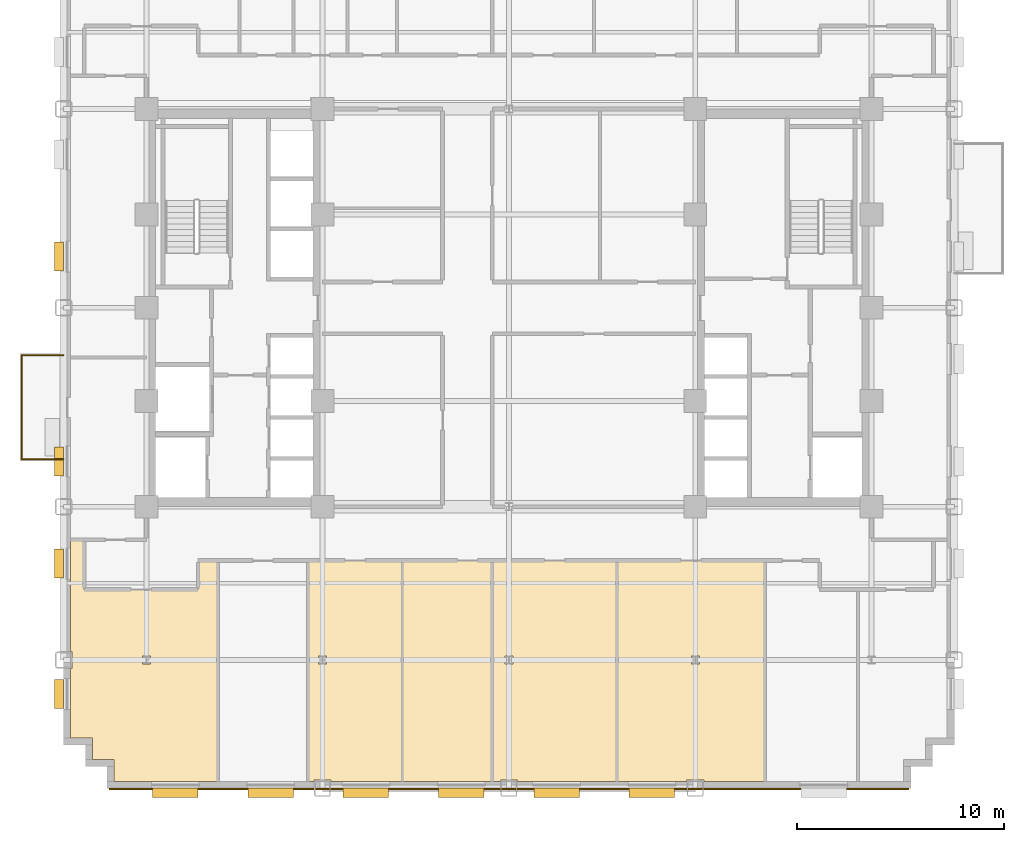
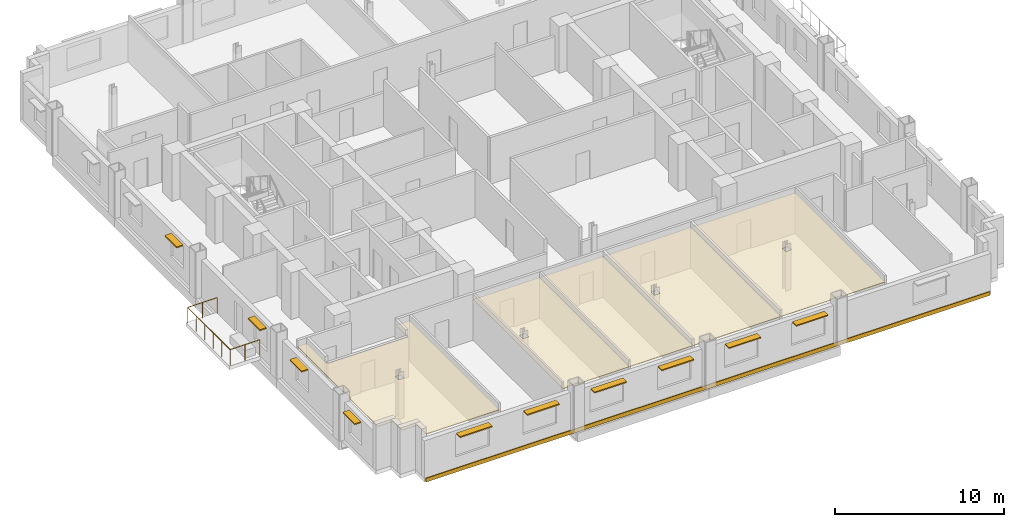
# One storey, part 11 of 14: 10 shading devices, 6 coverings, 1 railing.
"""IFC4 building model written with IfcOpenShell, lengths in metres."""

from ifc_helpers import new_model, si_unit, direction, frame, origin, origin_2d, place, context, subcontext, project, spatial, polyline, rectangle, circle, outline, extrude, source, transform, mapped, material, layer, layer_set, type_object, type_shapes, element, save


model = new_model("IFC4")

# Units and contexts
model_context = context("Model", 3, precision=1e-05, world=origin(), true_north=direction((0.0, 1.0)))
body_context = subcontext(model_context, "Body", "Model", "MODEL_VIEW")
ifc_project = project(units=[si_unit("LENGTHUNIT", "METRE"), si_unit("AREAUNIT", "SQUARE_METRE"), si_unit("VOLUMEUNIT", "CUBIC_METRE"), si_unit("PLANEANGLEUNIT", "RADIAN"), si_unit("MASSUNIT", "GRAM", prefix="KILO")], contexts=[model_context])

# Site, building, storey
site_placement = place(None, origin())
site = spatial("IfcSite", under=ifc_project, at=site_placement, CompositionType="ELEMENT")
building_placement = place(site_placement, origin())
building = spatial("IfcBuilding", under=site, at=building_placement, Name="Nuvemarco Arch Tower", CompositionType="ELEMENT")
storey_placement = place(building_placement, frame((0.0, 0.0, 71.39990234375)))
storey = spatial("IfcBuildingStorey", under=building, at=storey_placement, Name="L18", CompositionType="ELEMENT", Elevation=71.39990234375)

# Coverings
ifc_material_1 = material(Name="Mineral acoustic ceiling tile")
ifc_layer_1 = layer(ifc_material_1, 0.0400390625, Name="COV-ACOUSTIC-CLG")
ifc_layer_set_1 = layer_set([ifc_layer_1], Name="Mineral acoustic ceiling tile")
covering_type_1 = type_object("IfcCoveringType", Name="COV-ACOUSTIC-CLG", PredefinedType="CEILING", material=ifc_layer_set_1)
covering_1_placement = place(storey_placement, frame((0.0, 0.0, 2.85009765625)))
element("IfcCovering", 1, at=covering_1_placement, inside=storey, type_object=covering_type_1, Name="L18 suspended acoustic ceiling 3", PredefinedType="CEILING", context=body_context, shape_type="SweptSolid", body=[
    extrude(outline(polyline([(9.4150390625, -22.860107421875), (9.4150390625, -22.784912109375), (8.5849609375, -22.784912109375), (8.5849609375, -22.860107421875), (5.219970703125, -22.860107421875), (5.219970703125, -12.199951171875), (12.360107421875, -12.199951171875), (12.360107421875, -22.860107421875), (9.4150390625, -22.860107421875)]), holes=[polyline([(9.195068359375, -17.195068359375), (9.195068359375, -16.804931640625), (8.804931640625, -16.804931640625), (8.804931640625, -17.195068359375), (9.195068359375, -17.195068359375)])]), origin(), (0.0, 0.0, 1.0), 0.0400390625),
])
covering_2_placement = place(storey_placement, frame((0.0, 0.0, 2.85009765625)))
element("IfcCovering", 2, at=covering_2_placement, inside=storey, type_object=covering_type_1, Name="L18 suspended acoustic ceiling 5", PredefinedType="CEILING", context=body_context, shape_type="SweptSolid", body=[
    extrude(outline(polyline([(-21.159912109375, -20.760009765625), (-21.159912109375, -17.4150390625), (-21.0849609375, -17.4150390625), (-21.0849609375, -16.5849609375), (-21.159912109375, -16.5849609375), (-21.159912109375, -11.199951171875), (-20.5, -11.199951171875), (-20.5, -13.60009765625), (-15.0, -13.60009765625), (-15.0, -12.199951171875), (-14.050048828125, -12.199951171875), (-14.050048828125, -22.860107421875), (-19.06005859375, -22.860107421875), (-19.06005859375, -21.81005859375), (-20.110107421875, -21.81005859375), (-20.110107421875, -20.760009765625), (-21.159912109375, -20.760009765625)]), holes=[polyline([(-17.304931640625, -16.804931640625), (-17.695068359375, -16.804931640625), (-17.695068359375, -17.195068359375), (-17.304931640625, -17.195068359375), (-17.304931640625, -16.804931640625)])]), origin(), (0.0, 0.0, 1.0), 0.0400390625),
])
covering_3_placement = place(storey_placement, frame((0.0, 0.0, 2.85009765625)))
element("IfcCovering", 3, at=covering_3_placement, inside=storey, type_object=covering_type_1, Name="L18 suspended acoustic ceiling 6", PredefinedType="CEILING", context=body_context, shape_type="SweptSolid", body=[
    extrude(outline(polyline([(0.4150390625, -22.860107421875), (0.4150390625, -22.784912109375), (-0.4150390625, -22.784912109375), (-0.4150390625, -22.860107421875), (-0.800048828125, -22.860107421875), (-0.800048828125, -12.199951171875), (5.219970703125, -12.199951171875), (5.219970703125, -22.860107421875), (0.4150390625, -22.860107421875)]), holes=[polyline([(0.195068359375, -17.195068359375), (0.195068359375, -16.804931640625), (-0.195068359375, -16.804931640625), (-0.195068359375, -17.195068359375), (0.195068359375, -17.195068359375)])]), origin(), (0.0, 0.0, 1.0), 0.0400390625),
])
covering_4_placement = place(storey_placement, frame((0.0, 0.0, 2.85009765625)))
element("IfcCovering", 4, at=covering_4_placement, inside=storey, type_object=covering_type_1, Name="L18 suspended acoustic ceiling 8", PredefinedType="CEILING", context=body_context, shape_type="SweptSolid", body=[
    extrude(outline(polyline([(-8.5849609375, -22.860107421875), (-8.5849609375, -22.784912109375), (-9.4150390625, -22.784912109375), (-9.4150390625, -22.860107421875), (-9.699951171875, -22.860107421875), (-9.699951171875, -12.199951171875), (-5.14990234375, -12.199951171875), (-5.14990234375, -22.860107421875), (-8.5849609375, -22.860107421875)]), holes=[polyline([(-8.804931640625, -17.195068359375), (-8.804931640625, -16.804931640625), (-9.195068359375, -16.804931640625), (-9.195068359375, -17.195068359375), (-8.804931640625, -17.195068359375)])]), origin(), (0.0, 0.0, 1.0), 0.0400390625),
])
covering_5_placement = place(storey_placement, frame((0.0, 0.0, 2.85009765625)))
element("IfcCovering", 5, at=covering_5_placement, inside=storey, type_object=covering_type_1, Name="L18 suspended acoustic ceiling 9", PredefinedType="CEILING", context=body_context, shape_type="SweptSolid", body=[
    extrude(outline(polyline([(-0.800048828125, -22.860107421875), (-5.14990234375, -22.860107421875), (-5.14990234375, -12.199951171875), (-3.199951171875, -12.199951171875), (-0.800048828125, -12.199951171875), (-0.800048828125, -22.860107421875)])), origin(), (0.0, 0.0, 1.0), 0.0400390625),
])

# Railing
ifc_material_2 = material(Name="Dark anodised balustrade steel S355", Category="steel")
railing_type = type_object("IfcRailingType", Name="RL-TERR-GUARD", PredefinedType="BALUSTRADE", material=ifc_material_2)
railing_placement = place(storey_placement, frame((-21.5, -7.320068359375, 0.0)))
element("IfcRailing", 6, at=railing_placement, inside=storey, type_object=railing_type, Name="L18 tree balcony perimeter balustrade guard", PredefinedType="BALUSTRADE", context=body_context, shape_type="SweptSolid", body=[
    extrude(circle(Radius=0.02392578125, at=origin_2d()), frame((0.0, 0.0, 1.1259765625), z_axis=(-1.0, 0.0, 0.0), x_axis=(0.0, -1.0, 0.0)), (0.0, 0.0, 1.0), 2.02001953125),
    extrude(circle(Radius=0.02392578125, at=origin_2d()), frame((-2.02001953125, 0.0, 1.1259765625), z_axis=(0.0, 1.0, 0.0), x_axis=(-1.0, 0.0, 0.0)), (0.0, 0.0, 1.0), 5.0400390625),
    extrude(circle(Radius=0.02392578125, at=origin_2d()), frame((-2.02001953125, 5.0400390625, 1.1259765625), z_axis=(1.0, 0.0, 0.0), x_axis=(0.0, 1.0, 0.0)), (0.0, 0.0, 1.0), 2.02001953125),
    extrude(circle(Radius=0.02099609375, at=origin_2d()), origin(), (0.0, 0.0, 1.0), 1.101806640625),
    extrude(circle(Radius=0.02099609375, at=origin_2d()), frame((-1.010009765625, 0.0, 0.0)), (0.0, 0.0, 1.0), 1.101806640625),
    extrude(circle(Radius=0.02099609375, at=origin_2d()), frame((-2.02001953125, 0.0, 0.0)), (0.0, 0.0, 1.0), 1.101806640625),
    extrude(circle(Radius=0.02099609375, at=origin_2d()), frame((-2.02001953125, 1.008056640625, 0.0)), (0.0, 0.0, 1.0), 1.101806640625),
    extrude(circle(Radius=0.02099609375, at=origin_2d()), frame((-2.02001953125, 2.01611328125, 0.0)), (0.0, 0.0, 1.0), 1.101806640625),
    extrude(circle(Radius=0.02099609375, at=origin_2d()), frame((-2.02001953125, 3.02392578125, 0.0)), (0.0, 0.0, 1.0), 1.101806640625),
    extrude(circle(Radius=0.02099609375, at=origin_2d()), frame((-2.02001953125, 4.031982421875, 0.0)), (0.0, 0.0, 1.0), 1.101806640625),
    extrude(circle(Radius=0.02099609375, at=origin_2d()), frame((-2.02001953125, 5.0400390625, 0.0)), (0.0, 0.0, 1.0), 1.101806640625),
    extrude(circle(Radius=0.02099609375, at=origin_2d()), frame((-1.010009765625, 5.0400390625, 0.0)), (0.0, 0.0, 1.0), 1.101806640625),
    extrude(circle(Radius=0.02099609375, at=origin_2d()), frame((0.0, 5.0400390625, 0.0)), (0.0, 0.0, 1.0), 1.101806640625),
])

# Shading devices
ifc_material_3 = material(Name="Anodised aluminium 6063-T6", Category="aluminium")
shading_device_type_1 = type_object("IfcShadingDeviceType", Name="SHD-BRISE-SOLEIL", PredefinedType="USERDEFINED", material=ifc_material_3)
shared_shape_1 = source(origin(), body_context, "Body", "SweptSolid", [
    extrude(rectangle(XDim=2.199951171875, YDim=0.449951171875, at=origin_2d()), origin(), (0.0, 0.0, 1.0), 0.080078125),
])
type_shapes(shading_device_type_1, [shared_shape_1])
for number, where, z_axis, x_axis, name in (
    (7, (-16.10009765625, -23.4150390625, 2.425048828125), (0.0, 0.0, 1.0), (1.0, 0.0, 0.0), "L18 horizontal brise-soleil sunshade"),
    (8, (-11.5, -23.4150390625, 2.425048828125), (0.0, 0.0, 1.0), (1.0, 0.0, 0.0), "L18 horizontal brise-soleil sunshade"),
    (9, (-6.89990234375, -23.4150390625, 2.425048828125), (0.0, 0.0, 1.0), (1.0, 0.0, 0.0), "L18 horizontal brise-soleil sunshade"),
    (10, (-2.300048828125, -23.4150390625, 2.425048828125), (0.0, 0.0, 1.0), (1.0, 0.0, 0.0), "L18 horizontal brise-soleil sunshade"),
    (11, (2.300048828125, -23.4150390625, 2.425048828125), (0.0, 0.0, 1.0), (1.0, 0.0, 0.0), "L18 horizontal brise-soleil sunshade"),
    (12, (6.89990234375, -23.4150390625, 2.425048828125), (0.0, 0.0, 1.0), (1.0, 0.0, 0.0), "L18 horizontal brise-soleil sunshade"),
):
    element("IfcShadingDevice", number, at=place(storey_placement, frame(where, z_axis=z_axis, x_axis=x_axis)), inside=storey, type_object=shading_device_type_1, Name=name, ObjectType="SUNSHADE", PredefinedType="USERDEFINED", context=body_context, shape_type="MappedRepresentation", body=[
        mapped(shared_shape_1, transform((0.0, 0.0, 0.0), scale=1.0)),
    ])
shading_device_type_2 = type_object("IfcShadingDeviceType", Name="SHD-BRISE-NARROW", PredefinedType="USERDEFINED", material=ifc_material_3)
shared_shape_2 = source(origin(), body_context, "Body", "SweptSolid", [
    extrude(rectangle(XDim=1.39990234375, YDim=0.449951171875, at=origin_2d()), origin(), (0.0, 0.0, 1.0), 0.080078125),
])
type_shapes(shading_device_type_2, [shared_shape_2])
for number, where, z_axis, x_axis, name in (
    (13, (-21.715087890625, -18.6435546875, 2.405029296875), (0.0, 0.0, 1.0), (0.0, 1.0, 0.0), "L18 horizontal brise-soleil sunshade"),
    (14, (-21.715087890625, -12.3525390625, 2.405029296875), (0.0, 0.0, 1.0), (0.0, 1.0, 0.0), "L18 horizontal brise-soleil sunshade"),
    (15, (-21.715087890625, -7.41162109375, 2.405029296875), (0.0, 0.0, 1.0), (0.0, 1.0, 0.0), "L18 horizontal brise-soleil sunshade"),
    (16, (-21.715087890625, 2.470458984375, 2.405029296875), (0.0, 0.0, 1.0), (0.0, 1.0, 0.0), "L18 horizontal brise-soleil sunshade"),
):
    element("IfcShadingDevice", number, at=place(storey_placement, frame(where, z_axis=z_axis, x_axis=x_axis)), inside=storey, type_object=shading_device_type_2, Name=name, ObjectType="SUNSHADE", PredefinedType="USERDEFINED", context=body_context, shape_type="MappedRepresentation", body=[
        mapped(shared_shape_2, transform((0.0, 0.0, 0.0), scale=1.0)),
    ])

# Covering
ifc_material_4 = material(Name="Precast concrete C45/55", Category="concrete")
ifc_layer_2 = layer(ifc_material_4, 0.06005859375, Name="COV-SPANDREL-CLAD")
ifc_layer_set_2 = layer_set([ifc_layer_2], Name="Precast concrete C45/55")
covering_type_2 = type_object("IfcCoveringType", Name="COV-SPANDREL-CLAD", PredefinedType="CLADDING", material=ifc_layer_set_2)
shared_shape_3 = source(origin(), body_context, "Body", "SweptSolid", [
    extrude(rectangle(XDim=38.60009765625, YDim=0.06005859375, at=origin_2d()), origin(), (0.0, 0.0, 1.0), 0.280029296875),
])
type_shapes(covering_type_2, [shared_shape_3])
covering_6_placement = place(storey_placement, frame((0.0, -23.22900390625, -0.27978515625), z_axis=(0.0, 0.0, 1.0), x_axis=(1.0, 0.0, 0.0)))
element("IfcCovering", 17, at=covering_6_placement, inside=storey, type_object=covering_type_2, Name="L18 precast spandrel edge cladding south", PredefinedType="CLADDING", context=body_context, shape_type="MappedRepresentation", body=[
    mapped(shared_shape_3, transform((0.0, 0.0, 0.0), scale=1.0)),
])

save(model, "model.ifc")
